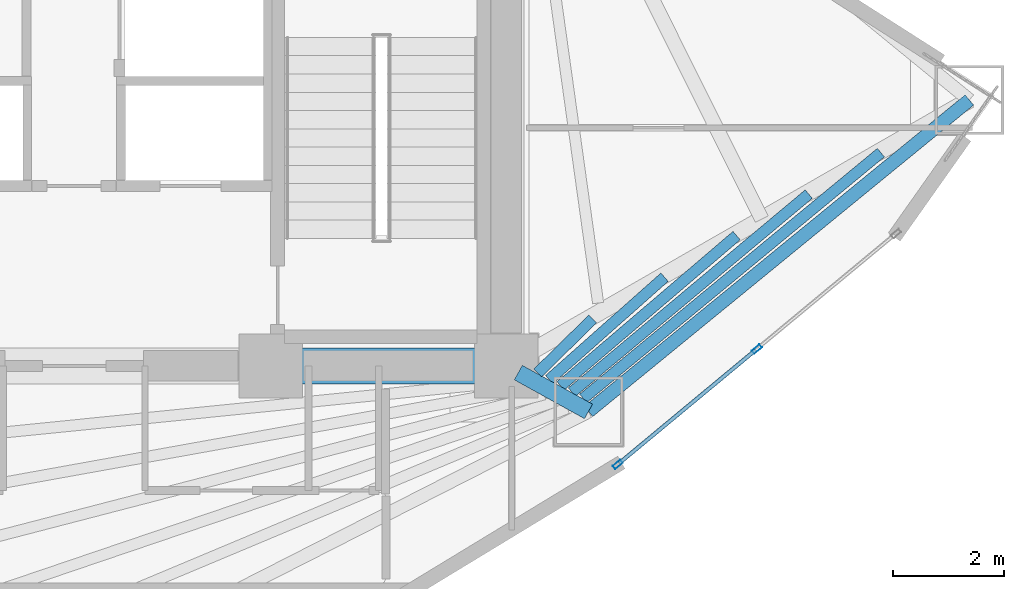
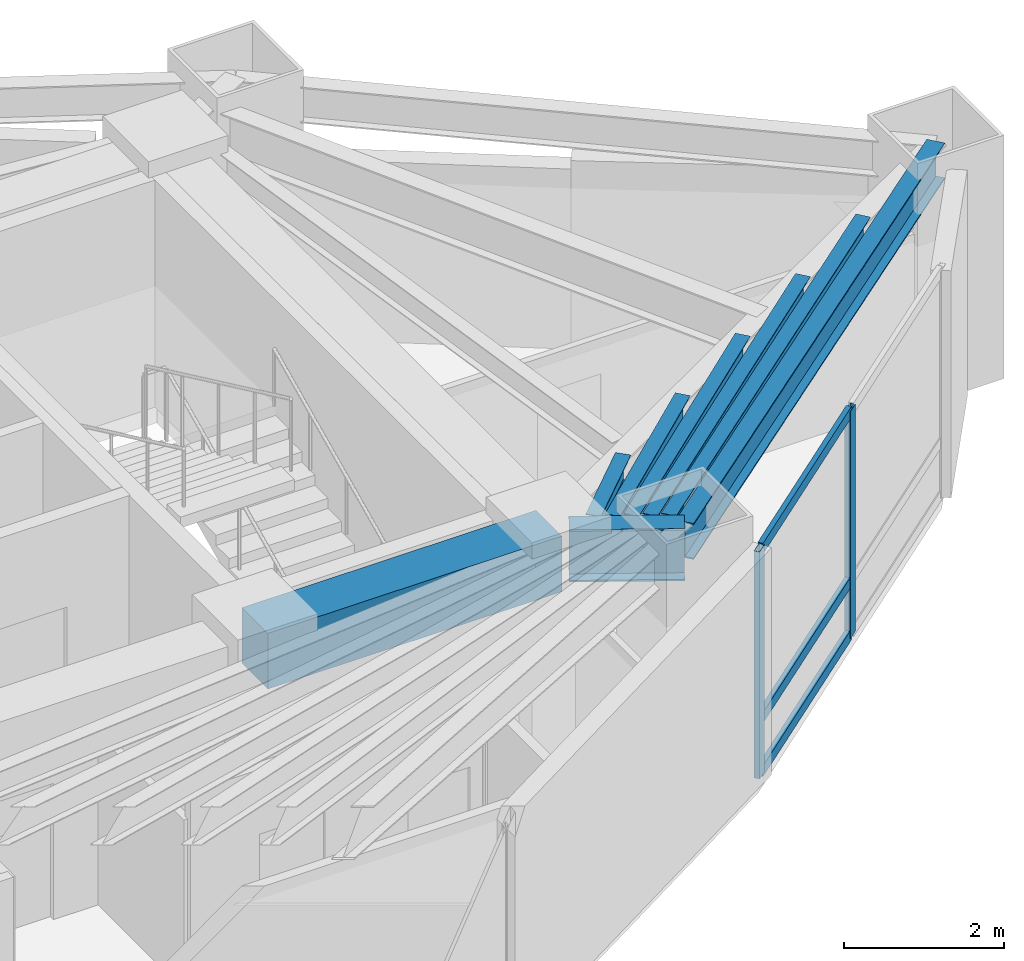
# One storey, part 16 of 23: 8 beams, 5 members, 1 element without a shape of its own.
"""IFC4 building model written with IfcOpenShell, lengths in metres."""

from ifc_helpers import new_model, si_unit, direction, frame, origin, origin_2d, place, context, subcontext, project, spatial, rectangle, hollow_rectangle, i_section, extrude, material, layer, layer_set, material_profile, profile_set, type_object, element, aggregate, save


model = new_model("IFC4")

# Units and contexts
model_context = context("Model", 3, precision=1e-05, world=origin(), true_north=direction((0.0, 1.0)))
body_context = subcontext(model_context, "Body", "Model", "MODEL_VIEW")
ifc_project = project(units=[si_unit("LENGTHUNIT", "METRE"), si_unit("AREAUNIT", "SQUARE_METRE"), si_unit("VOLUMEUNIT", "CUBIC_METRE"), si_unit("PLANEANGLEUNIT", "RADIAN"), si_unit("MASSUNIT", "GRAM", prefix="KILO")], contexts=[model_context])

# Site, building, storey
site_placement = place(None, origin())
site = spatial("IfcSite", under=ifc_project, at=site_placement, CompositionType="ELEMENT")
building_placement = place(site_placement, origin())
building = spatial("IfcBuilding", under=site, at=building_placement, Name="Menara Vayukalpa", CompositionType="ELEMENT")
storey_placement = place(building_placement, frame((0.0, 0.0, 107.699951171875)))
storey = spatial("IfcBuildingStorey", under=building, at=storey_placement, Name="L26", CompositionType="ELEMENT", Elevation=107.699951171875)

# Beams
ifc_material_1 = material(Name="Concrete C60/75", Category="concrete")
ifc_material_profile_1 = material_profile(ifc_material_1, rectangle(XDim=0.64990234375, YDim=0.85009765625, at=origin_2d()), Name="RC 650x850")
ifc_profile_set_1 = profile_set([ifc_material_profile_1], Name="Concrete C60/75")
beam_type_1 = type_object("IfcBeamType", Name="BM-CB1", PredefinedType="BEAM", material=ifc_profile_set_1)
beam_1_placement = place(storey_placement, frame((29.14990234375, 17.199951171875, 3.045166015625), z_axis=(1.0, 0.0, 0.0), x_axis=(0.0, 1.0, 0.0)))
element("IfcBeam", 1, at=beam_1_placement, inside=storey, type_object=beam_type_1, Name="L26 Core Tie Beam CBR3", PredefinedType="BEAM", context=body_context, shape_type="SweptSolid", body=[
    extrude(rectangle(XDim=0.64990234375, YDim=0.85009765625, at=origin_2d()), origin(), (0.0, 0.0, 1.0), 4.25),
])
ifc_material_2 = material(Name="Steel S355", Category="steel")
ifc_material_profile_2 = material_profile(ifc_material_2, i_section(OverallWidth=0.300048828125, OverallDepth=0.800048828125, WebThickness=0.013916015625, FlangeThickness=0.02587890625, at=origin_2d()), Name="WF 800x300x14x26")
ifc_profile_set_2 = profile_set([ifc_material_profile_2], Name="Steel S355")
beam_type_2 = type_object("IfcBeamType", Name="BM-PG3", PredefinedType="BEAM", material=ifc_profile_set_2)
beam_2_placement = place(storey_placement, frame((33.618896484375, 17.0791015625, 3.070068359375), z_axis=(0.875228391676, -0.48370989488, 0.0), x_axis=(0.48370989488, 0.875228391676, 0.0)))
element("IfcBeam", 2, at=beam_2_placement, inside=storey, type_object=beam_type_2, Name="L26 Primary Radial Girder RG09", PredefinedType="BEAM", context=body_context, shape_type="SweptSolid", body=[
    extrude(i_section(OverallWidth=0.300048828125, OverallDepth=0.800048828125, WebThickness=0.013916015625, FlangeThickness=0.02587890625, at=origin_2d()), origin(), (0.0, 0.0, 1.0), 1.448486328125),
])
ifc_material_3 = material(Name="Steel S355", Category="steel")
ifc_material_profile_3 = material_profile(ifc_material_3, i_section(OverallWidth=0.199951171875, OverallDepth=0.39990234375, WebThickness=0.008056640625, FlangeThickness=0.012939453125, at=origin_2d()), Name="WF 400x200x8x13")
ifc_profile_set_3 = profile_set([ifc_material_profile_3], Name="Steel S355")
beam_type_3 = type_object("IfcBeamType", Name="BM-SJ2", PredefinedType="JOIST", material=ifc_profile_set_3)
beam_3_placement = place(storey_placement, frame((33.968505859375, 17.072021484375, 3.27001953125), z_axis=(0.713567159094, 0.700586832208, 0.0), x_axis=(-0.700586832208, 0.713567159094, 0.0)))
element("IfcBeam", 3, at=beam_3_placement, inside=storey, type_object=beam_type_3, Name="L26 Secondary Floor Joist SJ09-1", PredefinedType="JOIST", context=body_context, shape_type="SweptSolid", body=[
    extrude(i_section(OverallWidth=0.199951171875, OverallDepth=0.39990234375, WebThickness=0.008056640625, FlangeThickness=0.012939453125, at=origin_2d()), origin(), (0.0, 0.0, 1.0), 1.391845703125),
])
beam_4_placement = place(storey_placement, frame((34.177001953125, 16.95361328125, 3.27001953125), z_axis=(0.747951028434, 0.663753914539, 0.0), x_axis=(-0.663753914539, 0.747951028434, 0.0)))
element("IfcBeam", 4, at=beam_4_placement, inside=storey, type_object=beam_type_3, Name="L26 Secondary Floor Joist SJ09-2", PredefinedType="JOIST", context=body_context, shape_type="SweptSolid", body=[
    extrude(i_section(OverallWidth=0.199951171875, OverallDepth=0.39990234375, WebThickness=0.008056640625, FlangeThickness=0.012939453125, at=origin_2d()), origin(), (0.0, 0.0, 1.0), 2.78369140625),
])
beam_5_placement = place(storey_placement, frame((34.382080078125, 16.839111328125, 3.27001953125), z_axis=(0.760566613353, 0.649259906858, 0.0), x_axis=(-0.649259906858, 0.760566613353, 0.0)))
element("IfcBeam", 5, at=beam_5_placement, inside=storey, type_object=beam_type_3, Name="L26 Secondary Floor Joist SJ09-3", PredefinedType="JOIST", context=body_context, shape_type="SweptSolid", body=[
    extrude(i_section(OverallWidth=0.199951171875, OverallDepth=0.39990234375, WebThickness=0.008056640625, FlangeThickness=0.012939453125, at=origin_2d()), origin(), (0.0, 0.0, 1.0), 4.178466796875),
])
beam_6_placement = place(storey_placement, frame((34.586181640625, 16.7255859375, 3.27001953125), z_axis=(0.767139570374, 0.64148022539, 0.0), x_axis=(-0.64148022539, 0.767139570374, 0.0)))
element("IfcBeam", 6, at=beam_6_placement, inside=storey, type_object=beam_type_3, Name="L26 Secondary Floor Joist SJ09-4", PredefinedType="JOIST", context=body_context, shape_type="SweptSolid", body=[
    extrude(i_section(OverallWidth=0.199951171875, OverallDepth=0.39990234375, WebThickness=0.008056640625, FlangeThickness=0.012939453125, at=origin_2d()), origin(), (0.0, 0.0, 1.0), 5.57421875),
])
beam_7_placement = place(storey_placement, frame((34.789794921875, 16.61279296875, 3.27001953125), z_axis=(0.771153144941, 0.636649689428, 0.0), x_axis=(-0.636649689428, 0.771153144941, 0.0)))
element("IfcBeam", 7, at=beam_7_placement, inside=storey, type_object=beam_type_3, Name="L26 Secondary Floor Joist SJ09-5", PredefinedType="JOIST", context=body_context, shape_type="SweptSolid", body=[
    extrude(i_section(OverallWidth=0.199951171875, OverallDepth=0.39990234375, WebThickness=0.008056640625, FlangeThickness=0.012939453125, at=origin_2d()), origin(), (0.0, 0.0, 1.0), 6.969970703125),
])
ifc_material_4 = material(Name="Steel S355", Category="steel")
ifc_material_profile_4 = material_profile(ifc_material_4, i_section(OverallWidth=0.239990234375, OverallDepth=0.550048828125, WebThickness=0.010986328125, FlangeThickness=0.01904296875, at=origin_2d()), Name="WF 550x240x11x19")
ifc_profile_set_4 = profile_set([ifc_material_profile_4], Name="Steel S355")
beam_type_4 = type_object("IfcBeamType", Name="BM-SP2", PredefinedType="SPANDREL", material=ifc_profile_set_4)
beam_8_placement = place(storey_placement, frame((34.88671875, 16.37841796875, 3.195068359375), z_axis=(0.774156906301, 0.632993747541, 0.0), x_axis=(-0.632993747541, 0.774156906301, 0.0)))
element("IfcBeam", 8, at=beam_8_placement, inside=storey, type_object=beam_type_4, Name="L26 Perimeter Spandrel Beam SP09", PredefinedType="SPANDREL", context=body_context, shape_type="SweptSolid", body=[
    extrude(i_section(OverallWidth=0.239990234375, OverallDepth=0.550048828125, WebThickness=0.010986328125, FlangeThickness=0.01904296875, at=origin_2d()), origin(), (0.0, 0.0, 1.0), 8.880859375),
])

# Curtain wall, members
ifc_material_5 = material(Name="Anodised Terracotta Aluminium Alloy 6063-T6", Category="masonry")
ifc_layer = layer(ifc_material_5, 0.179931640625)
ifc_layer_set = layer_set([ifc_layer], Name="Anodised Terracotta Aluminium Alloy 6063-T6")
curtain_wall_type = type_object("IfcCurtainWallType", Name="CW-CW4", PredefinedType="USERDEFINED", material=ifc_layer_set)
curtain_wall_placement = place(storey_placement, origin())
curtain_wall = element("IfcCurtainWall", 9, at=curtain_wall_placement, inside=storey, type_object=curtain_wall_type, Name="L26 Sky Bar Cantilever Glazed Curtain Wall CW4 19", ObjectType="UNITISED", PredefinedType="USERDEFINED")
ifc_material_6 = material(Name="Anodised Terracotta Aluminium Alloy 6063-T6", Category="masonry")
ifc_material_profile_5 = material_profile(ifc_material_6, hollow_rectangle(XDim=0.074951171875, YDim=0.179931640625, WallThickness=0.00390625, at=origin_2d()), Name="ALU 75x180x4")
ifc_profile_set_5 = profile_set([ifc_material_profile_5], Name="Anodised Terracotta Aluminium Alloy 6063-T6")
member_type_1 = type_object("IfcMemberType", Name="CWM-CW4", PredefinedType="MULLION", material=ifc_profile_set_5)
member_1_placement = place(storey_placement, frame((35.414794921875, 15.422119140625, 0.0), z_axis=(0.0, 0.0, 1.0), x_axis=(-0.638345501574, 0.769749972797, 0.0)))
member_1 = element("IfcMember", 10, at=member_1_placement, type_object=member_type_1, Name="CW4 mullion 1", PredefinedType="MULLION", context=body_context, shape_type="SweptSolid", body=[
    extrude(hollow_rectangle(XDim=0.074951171875, YDim=0.179931640625, WallThickness=0.00390625, at=origin_2d()), origin(), (0.0, 0.0, 1.0), 3.469970703125),
])
member_2_placement = place(storey_placement, frame((37.9267578125, 17.505126953125, 0.0), z_axis=(0.0, 0.0, 1.0), x_axis=(-0.638345501574, 0.769749972797, 0.0)))
member_2 = element("IfcMember", 11, at=member_2_placement, type_object=member_type_1, Name="CW4 mullion 2", PredefinedType="MULLION", context=body_context, shape_type="SweptSolid", body=[
    extrude(hollow_rectangle(XDim=0.074951171875, YDim=0.179931640625, WallThickness=0.00390625, at=origin_2d()), origin(), (0.0, 0.0, 1.0), 3.469970703125),
])
ifc_material_7 = material(Name="Anodised Terracotta Aluminium Alloy 6063-T6", Category="masonry")
ifc_material_profile_6 = material_profile(ifc_material_7, hollow_rectangle(XDim=0.070068359375, YDim=0.1650390625, WallThickness=0.00390625, at=origin_2d()), Name="ALU 70x165x4")
ifc_profile_set_6 = profile_set([ifc_material_profile_6], Name="Anodised Terracotta Aluminium Alloy 6063-T6")
member_type_2 = type_object("IfcMemberType", Name="CWT-CW4", PredefinedType="USERDEFINED", material=ifc_profile_set_6)
member_3_placement = place(storey_placement, frame((35.44384765625, 15.446044921875, 0.03515625), z_axis=(0.769750618465, 0.638344722993, 0.0), x_axis=(-0.638344722993, 0.769750618465, 0.0)))
member_3 = element("IfcMember", 12, at=member_3_placement, type_object=member_type_2, Name="CW4 transom 1.1", ObjectType="TRANSOM", PredefinedType="USERDEFINED", context=body_context, shape_type="SweptSolid", body=[
    extrude(hollow_rectangle(XDim=0.070068359375, YDim=0.1650390625, WallThickness=0.00390625, at=origin_2d()), origin(), (0.0, 0.0, 1.0), 3.188232421875),
])
member_4_placement = place(storey_placement, frame((35.44384765625, 15.446044921875, 0.85009765625), z_axis=(0.769750618465, 0.638344722993, 0.0), x_axis=(-0.638344722993, 0.769750618465, 0.0)))
member_4 = element("IfcMember", 13, at=member_4_placement, type_object=member_type_2, Name="CW4 transom 1.2", ObjectType="TRANSOM", PredefinedType="USERDEFINED", context=body_context, shape_type="SweptSolid", body=[
    extrude(hollow_rectangle(XDim=0.070068359375, YDim=0.1650390625, WallThickness=0.00390625, at=origin_2d()), origin(), (0.0, 0.0, 1.0), 3.188232421875),
])
member_5_placement = place(storey_placement, frame((35.44384765625, 15.446044921875, 3.43505859375), z_axis=(0.769750618465, 0.638344722993, 0.0), x_axis=(-0.638344722993, 0.769750618465, 0.0)))
member_5 = element("IfcMember", 14, at=member_5_placement, type_object=member_type_2, Name="CW4 transom 1.3", ObjectType="TRANSOM", PredefinedType="USERDEFINED", context=body_context, shape_type="SweptSolid", body=[
    extrude(hollow_rectangle(XDim=0.070068359375, YDim=0.1650390625, WallThickness=0.00390625, at=origin_2d()), origin(), (0.0, 0.0, 1.0), 3.188232421875),
])
aggregate(curtain_wall, [member_1, member_2, member_3, member_4, member_5])

save(model, "model.ifc")
